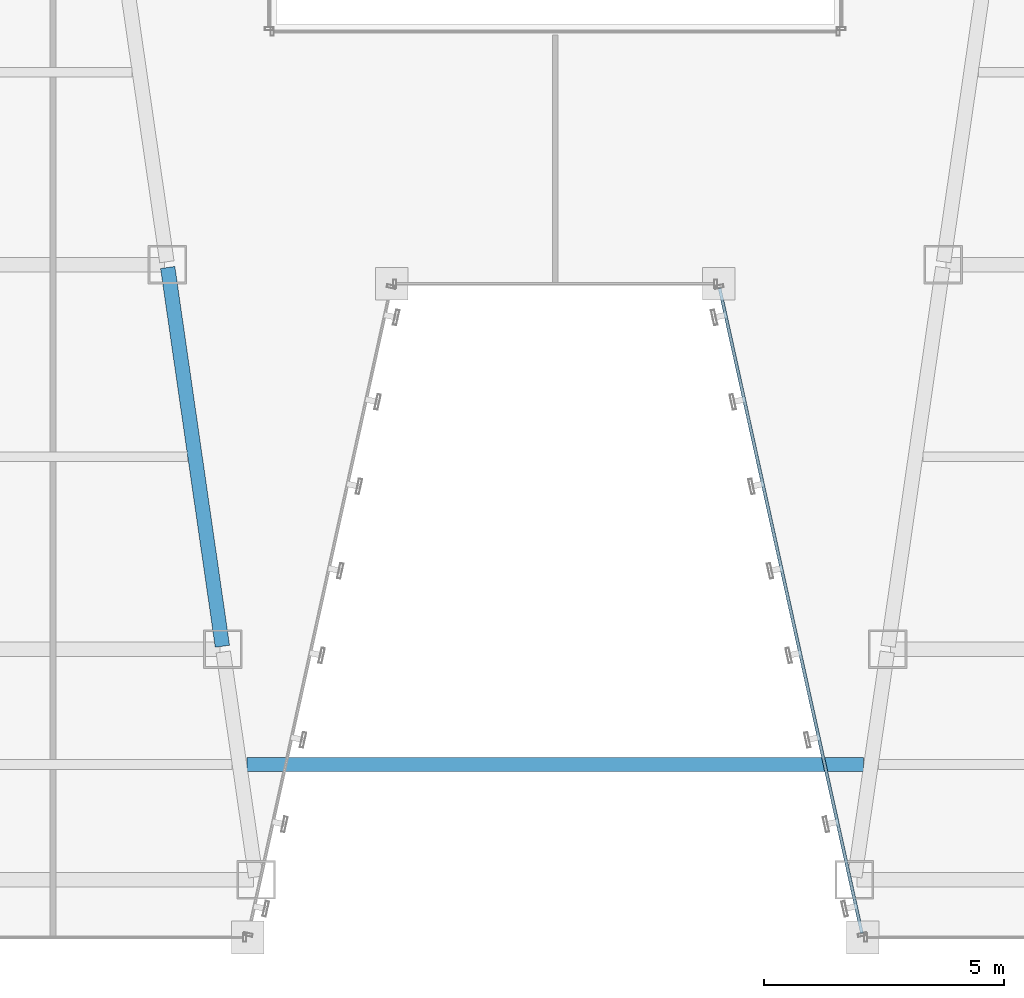
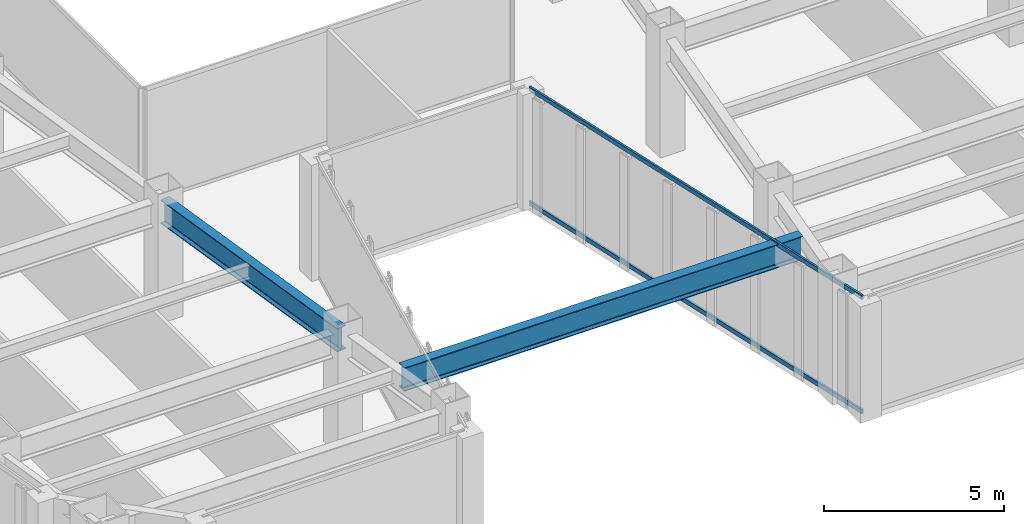
# One storey, part 8 of 47: 2 beams, 2 members, 1 element without a shape of its own.
"""IFC4 building model written with IfcOpenShell, lengths in metres."""

import ifcopenshell
import ifcopenshell.guid

model = None  # the IFC model being written
_history = None  # IfcOwnerHistory: only IFC2X3 demands one
_inside = {}  # id of a spatial element -> (the spatial element, [elements in it])
_under = {}  # id of a project, library or spatial element -> (it, [spatial elements below it])
_declared = {}  # id of a project -> (the project, [libraries it declares])
_typed = {}  # id of a type object -> (the type object, [elements of that type])
_made_of = {}  # id of a material, layer set ... -> (it, [elements and type objects made of it])


def new_model(schema):
    """Start an empty IFC model of exactly this schema.

    Asked for "IFC4X3", IfcOpenShell would pick the latest addendum, in which some entities
    have other attributes; the version numbers below select the first issue.
    IFC2X3 requires an IfcOwnerHistory on every rooted entity: one is made here for all.
    """
    global model, _history
    if schema == "IFC4X3":
        model = ifcopenshell.file(schema_version=(4, 3, 0, 0))
    else:
        model = ifcopenshell.file(schema=schema)
    _inside.clear()
    _under.clear()
    _declared.clear()
    _typed.clear()
    _made_of.clear()
    _history = None
    if model.schema == "IFC2X3":
        org = make("IfcOrganization", Name="unknown")
        user = make(
            "IfcPersonAndOrganization",
            ThePerson=make("IfcPerson", FamilyName="unknown"),
            TheOrganization=org,
        )
        app = make(
            "IfcApplication",
            ApplicationDeveloper=org,
            Version="unknown",
            ApplicationFullName="unknown",
            ApplicationIdentifier="unknown",
        )
        _history = make(
            "IfcOwnerHistory",
            OwningUser=user,
            OwningApplication=app,
            ChangeAction="ADDED",
            CreationDate=0,
        )
    return model


def make(cls, **values):
    """One entity of the class cls with the attributes given. An attribute that is None is left unset."""
    return model.create_entity(
        cls, **{name: value for name, value in values.items() if value is not None}
    )


def rooted(cls, **values):
    """An entity with a GlobalId (a new one), such as an element, a storey or a relation."""
    return make(cls, GlobalId=ifcopenshell.guid.new(), OwnerHistory=_history, **values)


def si_unit(unit_type, name, prefix=None):
    """IfcSIUnit, for example si_unit("LENGTHUNIT", "METRE", prefix="MILLI")."""
    return make("IfcSIUnit", UnitType=unit_type, Prefix=prefix, Name=name)


def assignment(units):
    """IfcUnitAssignment: the units of a project."""
    return None if units is None else make("IfcUnitAssignment", Units=units)


def point(xyz):
    """IfcCartesianPoint."""
    return None if xyz is None else make("IfcCartesianPoint", Coordinates=xyz)


def direction(xyz):
    """IfcDirection."""
    return None if xyz is None else make("IfcDirection", DirectionRatios=xyz)


def frame(location, z_axis=None, x_axis=None):
    """IfcAxis2Placement3D, a coordinate frame: its origin and axes. An axis left out is left unset."""
    return make(
        "IfcAxis2Placement3D",
        Location=point(location),
        Axis=direction(z_axis),
        RefDirection=direction(x_axis),
    )


def frame_2d(location, x_axis=None):
    """IfcAxis2Placement2D, a coordinate frame in the plane: its origin and x axis."""
    return make(
        "IfcAxis2Placement2D", Location=point(location), RefDirection=direction(x_axis)
    )


def origin():
    """The frame at (0, 0, 0) with its axes left unset."""
    return frame((0.0, 0.0, 0.0))


def origin_2d():
    """The frame at (0, 0) in the plane with its x axis left unset."""
    return frame_2d((0.0, 0.0))


def place(relative_to, where):
    """IfcLocalPlacement: puts the frame where relative to a parent placement (None: the world)."""
    return make(
        "IfcLocalPlacement", PlacementRelTo=relative_to, RelativePlacement=where
    )


def context(
    kind, dimensions, precision=None, world=None, true_north=None, identifier=None
):
    """IfcGeometricRepresentationContext, for example the 3D "Model" context."""
    return make(
        "IfcGeometricRepresentationContext",
        ContextIdentifier=identifier,
        ContextType=kind,
        CoordinateSpaceDimension=dimensions,
        Precision=precision,
        WorldCoordinateSystem=world,
        TrueNorth=true_north,
    )


def subcontext(parent, identifier, kind, view, scale=None):
    """IfcGeometricRepresentationSubContext, for example "Body" below "Model"."""
    return make(
        "IfcGeometricRepresentationSubContext",
        ContextIdentifier=identifier,
        ContextType=kind,
        ParentContext=parent,
        TargetScale=scale,
        TargetView=view,
    )


def project(units=None, contexts=None):
    """IfcProject with its units and contexts."""
    return rooted(
        "IfcProject",
        Name="project",
        RepresentationContexts=contexts,
        UnitsInContext=assignment(units),
    )


def spatial(cls, under=None, at=None, **own):
    """A site, building, storey or space (cls), placed at a placement, below another one or the project."""
    s = rooted(cls, ObjectPlacement=at, **own)
    if under is not None:
        _under.setdefault(under.id(), (under, []))[1].append(s)
    return s


def profile(cls, at=None, kind="AREA", **sizes):
    """A parametric profile (cls). Its sizes go by their IFC names, for example OverallWidth=200.0."""
    return make(cls, ProfileType=kind, Position=at, **sizes)


def hollow_rectangle(**sizes):
    """IfcRectangleHollowProfileDef."""
    return profile("IfcRectangleHollowProfileDef", **sizes)


def i_section(**sizes):
    """IfcIShapeProfileDef."""
    return profile("IfcIShapeProfileDef", **sizes)


def extrude(swept, where, along, depth):
    """IfcExtrudedAreaSolid: the profile swept, set in the frame where, extruded along a direction by depth."""
    return make(
        "IfcExtrudedAreaSolid",
        SweptArea=swept,
        Position=where,
        ExtrudedDirection=direction(along),
        Depth=depth,
    )


def shape(context_of_items, identifier, shape_type, items):
    """IfcShapeRepresentation: the items that make up one representation, for example the "Body"."""
    return make(
        "IfcShapeRepresentation",
        ContextOfItems=context_of_items,
        RepresentationIdentifier=identifier,
        RepresentationType=shape_type,
        Items=items,
    )


def material(Name=None, Category=None):
    """IfcMaterial."""
    return make("IfcMaterial", Name=Name, Category=Category)


def material_profile(
    of_material, cross_section, Name=None, Category=None, Priority=None
):
    """IfcMaterialProfile: a cross section and its material."""
    return make(
        "IfcMaterialProfile",
        Name=Name,
        Material=of_material,
        Profile=cross_section,
        Priority=Priority,
        Category=Category,
    )


def profile_set(profiles, Name=None, composite=None):
    """IfcMaterialProfileSet."""
    return make(
        "IfcMaterialProfileSet",
        Name=Name,
        MaterialProfiles=profiles,
        CompositeProfile=composite,
    )


def made_of(thing, what):
    """Note that an element or type object is made of a material, layer set ...; save() writes the relation."""
    if what is not None:
        _made_of.setdefault(what.id(), (what, []))[1].append(thing)
    return thing


def type_object(cls, material=None, **own):
    """A type object (cls), such as IfcWallType, which elements share."""
    return made_of(rooted(cls, **own), material)


def element(
    cls,
    number,
    at=None,
    inside=None,
    cuts=None,
    type_object=None,
    material=None,
    context=None,
    identifier="Body",
    shape_type=None,
    held_by="IfcProductDefinitionShape",
    body=None,
    shapes=None,
    **own,
):
    """One element of the class cls, such as IfcWall. Its Tag is "e" and its number.

    at: its placement. inside: the storey or other place that contains it. cuts: it is an
    opening in that element (IfcRelVoidsElement). A single representation is given by context,
    identifier, shape_type and body (its items); several are given by shapes. held_by: the class
    of the entity that holds the representations. save() writes the other relations.
    """
    e = rooted(cls, Tag="e%d" % number, ObjectPlacement=at, **own)
    if body is not None:
        shapes = [shape(context, identifier, shape_type, body)]
    if shapes is not None:
        e.Representation = make(held_by, Representations=shapes)
    if inside is not None:
        _inside.setdefault(inside.id(), (inside, []))[1].append(e)
    if cuts is not None:
        rooted(
            "IfcRelVoidsElement", RelatingBuildingElement=cuts, RelatedOpeningElement=e
        )
    if type_object is not None:
        _typed.setdefault(type_object.id(), (type_object, []))[1].append(e)
    return made_of(e, material)


def aggregate(whole, parts):
    """IfcRelAggregates: a whole, such as a stair, and the parts it consists of."""
    return rooted("IfcRelAggregates", RelatingObject=whole, RelatedObjects=parts)


def save(model, path):
    """Write the relations noted so far, then the file.

    IfcRelAggregates (storeys below a building ...), IfcRelContainedInSpatialStructure (elements
    in a storey), IfcRelDefinesByType, IfcRelAssociatesMaterial and IfcRelDeclares: one each for
    every whole, place, type object, material and project.
    """
    for whole, parts in _under.values():
        aggregate(whole, parts)
    for where, things in _inside.values():
        rooted(
            "IfcRelContainedInSpatialStructure",
            RelatedElements=things,
            RelatingStructure=where,
        )
    for kind, things in _typed.values():
        rooted("IfcRelDefinesByType", RelatedObjects=things, RelatingType=kind)
    for what, things in _made_of.values():
        rooted("IfcRelAssociatesMaterial", RelatedObjects=things, RelatingMaterial=what)
    for by, libraries in _declared.values():
        rooted("IfcRelDeclares", RelatingContext=by, RelatedDefinitions=libraries)
    model.write(path)


model = new_model("IFC4")

# Units and contexts
model_context = context("Model", 3, precision=1e-05, world=origin(), true_north=direction((0.0, 1.0)))
body_context = subcontext(model_context, "Body", "Model", "MODEL_VIEW")
ifc_project = project(units=[si_unit("LENGTHUNIT", "METRE"), si_unit("AREAUNIT", "SQUARE_METRE"), si_unit("VOLUMEUNIT", "CUBIC_METRE"), si_unit("PLANEANGLEUNIT", "RADIAN"), si_unit("MASSUNIT", "GRAM", prefix="KILO")], contexts=[model_context])

# Site, building, storey
site_placement = place(None, origin())
site = spatial("IfcSite", under=ifc_project, at=site_placement, CompositionType="ELEMENT")
building_placement = place(site_placement, origin())
building = spatial("IfcBuilding", under=site, at=building_placement, Name="Saevonmaru Cultural Tower", CompositionType="ELEMENT")
storey_placement = place(building_placement, frame((0.0, 0.0, 82.39990234375)))
storey = spatial("IfcBuildingStorey", under=building, at=storey_placement, Name="L17", CompositionType="ELEMENT", Elevation=82.39990234375)

# Beams
ifc_material_1 = material(Name="Steel SM420", Category="steel")
ifc_material_profile_1 = material_profile(ifc_material_1, i_section(OverallWidth=0.300048828125, OverallDepth=0.800048828125, WebThickness=0.013916015625, FlangeThickness=0.02587890625, FilletRadius=0.028076171875, at=origin_2d()), Name="H-800x300x14x26")
ifc_profile_set_1 = profile_set([ifc_material_profile_1], Name="Steel SM420")
beam_type = type_object("IfcBeamType", Name="BM-G-H800", PredefinedType="BEAM", material=ifc_profile_set_1)
beam_1_placement = place(storey_placement, frame((23.074462890625, 8.059326171875, 3.550048828125), z_axis=(-0.142902032203, 0.989736838353, 0.0), x_axis=(-0.989736838353, -0.142902032203, 0.0)))
element("IfcBeam", 1, at=beam_1_placement, inside=storey, type_object=beam_type, Name="L17 West Atrium Girder 2", PredefinedType="BEAM", context=body_context, shape_type="SweptSolid", body=[
    extrude(i_section(OverallWidth=0.300048828125, OverallDepth=0.800048828125, WebThickness=0.013916015625, FlangeThickness=0.02587890625, FilletRadius=0.028076171875, at=origin_2d()), origin(), (0.0, 0.0, 1.0), 7.963134765625),
])
beam_2_placement = place(storey_placement, frame((23.587890625, 5.60009765625, 3.550048828125), z_axis=(1.0, 0.0, 0.0), x_axis=(0.0, 1.0, 0.0)))
element("IfcBeam", 2, at=beam_2_placement, inside=storey, type_object=beam_type, Name="L17 Central Link Girder", PredefinedType="BEAM", context=body_context, shape_type="SweptSolid", body=[
    extrude(i_section(OverallWidth=0.300048828125, OverallDepth=0.800048828125, WebThickness=0.013916015625, FlangeThickness=0.02587890625, FilletRadius=0.028076171875, at=origin_2d()), origin(), (0.0, 0.0, 1.0), 12.82421875),
])

# Curtain wall, members
ifc_material_2 = material(Name="Satin Bronze Anodised Aluminium", Category="aluminium")
curtain_wall_type = type_object("IfcCurtainWallType", Name="CW-TYP-A", PredefinedType="NOTDEFINED", material=ifc_material_2)
curtain_wall_placement = place(storey_placement, origin())
curtain_wall = element("IfcCurtainWall", 3, at=curtain_wall_placement, inside=storey, type_object=curtain_wall_type, Name="L17 Unitised Curtain Wall E5", PredefinedType="NOTDEFINED")
ifc_material_profile_2 = material_profile(ifc_material_2, hollow_rectangle(XDim=0.06494140625, YDim=0.14990234375, WallThickness=0.00390625, at=origin_2d()), Name="ALU-TRAN-150x65x4")
ifc_profile_set_2 = profile_set([ifc_material_profile_2], Name="Satin Bronze Anodised Aluminium")
member_type = type_object("IfcMemberType", Name="TR-CW-150x65", PredefinedType="USERDEFINED", material=ifc_profile_set_2)
member_1_placement = place(storey_placement, frame((33.419921875, 15.509765625, 0.03271484375), z_axis=(0.21541214732, -0.976523223885, 0.0), x_axis=(0.976523223885, 0.21541214732, 0.0)))
member_1 = element("IfcMember", 4, at=member_1_placement, type_object=member_type, Name="CW-TW-L17-E5 transom 1.1", ObjectType="TRANSOM", PredefinedType="USERDEFINED", context=body_context, shape_type="SweptSolid", body=[
    extrude(hollow_rectangle(XDim=0.06494140625, YDim=0.14990234375, WallThickness=0.00390625, at=origin_2d()), origin(), (0.0, 0.0, 1.0), 13.741943359375),
])
member_2_placement = place(storey_placement, frame((33.419921875, 15.509765625, 3.91748046875), z_axis=(0.21541214732, -0.976523223885, 0.0), x_axis=(0.976523223885, 0.21541214732, 0.0)))
member_2 = element("IfcMember", 5, at=member_2_placement, type_object=member_type, Name="CW-TW-L17-E5 transom 1.2", ObjectType="TRANSOM", PredefinedType="USERDEFINED", context=body_context, shape_type="SweptSolid", body=[
    extrude(hollow_rectangle(XDim=0.06494140625, YDim=0.14990234375, WallThickness=0.00390625, at=origin_2d()), origin(), (0.0, 0.0, 1.0), 13.741943359375),
])
aggregate(curtain_wall, [member_1, member_2])

save(model, "model.ifc")
